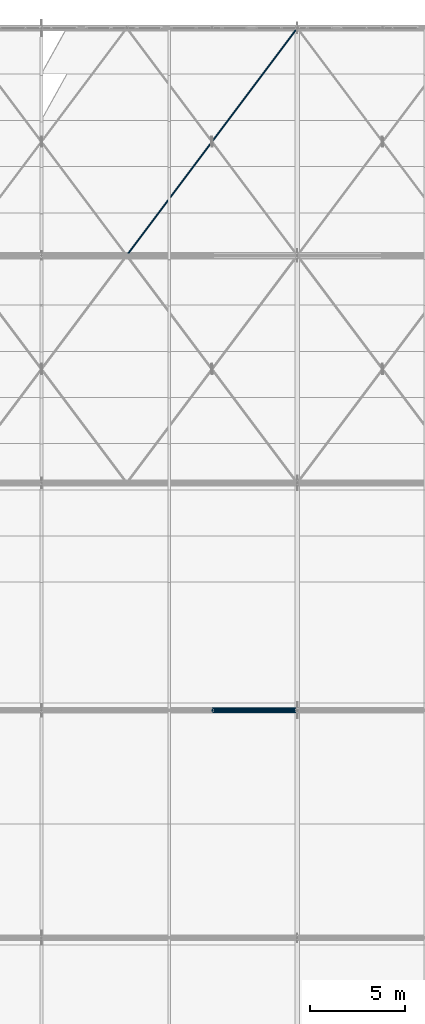
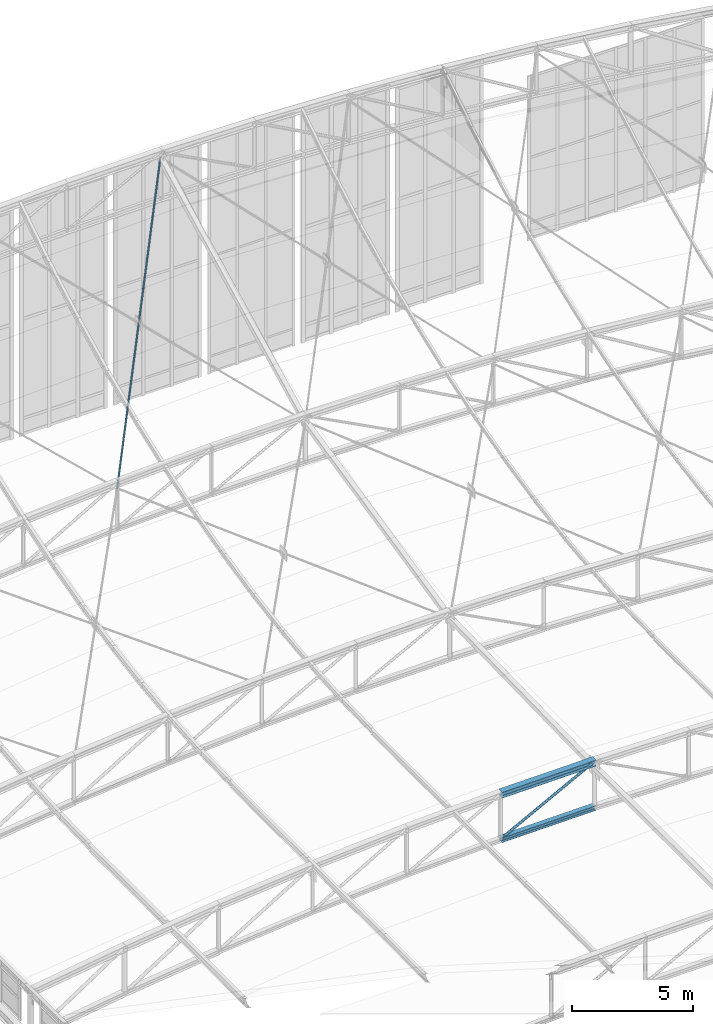
# One storey, part 117 of 262: 4 members.
"""IFC4 building model written with IfcOpenShell, lengths in metres."""

from ifc_helpers import new_model, si_unit, derived_unit, direction, frame, origin, origin_2d, place, context, subcontext, project, spatial, hollow_circle, i_section, extrude, material, material_profile, profile_set, type_object, element, save


model = new_model("IFC4")

# Units and contexts
model_context = context("Model", 3, precision=1e-05, world=origin(), true_north=direction((0.0, 1.0)))
body_context = subcontext(model_context, "Body", "Model", "MODEL_VIEW")
ifc_project = project(units=[si_unit("LENGTHUNIT", "METRE"), si_unit("AREAUNIT", "SQUARE_METRE"), si_unit("VOLUMEUNIT", "CUBIC_METRE"), si_unit("PLANEANGLEUNIT", "RADIAN"), si_unit("MASSUNIT", "GRAM", prefix="KILO"), derived_unit("THERMALTRANSMITTANCEUNIT", [(si_unit("POWERUNIT", "WATT"), 1), (si_unit("LENGTHUNIT", "METRE"), -2), (si_unit("THERMODYNAMICTEMPERATUREUNIT", "KELVIN"), -1)])], contexts=[model_context])

# Site, building, storey
site_placement = place(None, origin())
site = spatial("IfcSite", under=ifc_project, at=site_placement, CompositionType="ELEMENT")
building_placement = place(site_placement, origin())
building = spatial("IfcBuilding", under=site, at=building_placement, Name="Almenara Railside Exhibition Hall", CompositionType="ELEMENT")
storey_placement = place(building_placement, frame((0.0, 0.0, 21.699951171875)))
storey = spatial("IfcBuildingStorey", under=building, at=storey_placement, Name="RF", CompositionType="ELEMENT", Elevation=21.699951171875)

# Members
ifc_material = material(Name="Structural steel S355JR", Category="steel")
ifc_material_profile_1 = material_profile(ifc_material, i_section(OverallWidth=0.239990234375, OverallDepth=0.239990234375, WebThickness=0.010009765625, FlangeThickness=0.01708984375, FilletRadius=0.02099609375, at=origin_2d()), Name="HEB 240")
ifc_profile_set_1 = profile_set([ifc_material_profile_1], Name="Structural steel S355JR")
member_type_1 = type_object("IfcMemberType", Name="Arched Crown Bottom Chord HEB 240 S355JR", PredefinedType="CHORD", material=ifc_profile_set_1)
member_1_placement = place(storey_placement, frame((34.5, 96.0, -0.260986328125), z_axis=(0.999908030213, 0.0, 0.013562120635), x_axis=(0.0, 1.0, 0.0)))
element("IfcMember", 1, at=member_1_placement, inside=storey, type_object=member_type_1, Name="MEM-BC-V1-04-05", PredefinedType="CHORD", context=body_context, shape_type="SweptSolid", body=[
    extrude(i_section(OverallWidth=0.239990234375, OverallDepth=0.239990234375, WebThickness=0.010009765625, FlangeThickness=0.01708984375, FilletRadius=0.02099609375, at=origin_2d()), origin(), (0.0, 0.0, 1.0), 4.50048828125),
])
ifc_material_profile_2 = material_profile(ifc_material, i_section(OverallWidth=0.300048828125, OverallDepth=0.300048828125, WebThickness=0.010986328125, FlangeThickness=0.01904296875, FilletRadius=0.027099609375, at=origin_2d()), Name="HEB 300")
ifc_profile_set_2 = profile_set([ifc_material_profile_2], Name="Structural steel S355JR")
member_type_2 = type_object("IfcMemberType", Name="Arched Inner Top Chord HEB 300 S355JR", PredefinedType="CHORD", material=ifc_profile_set_2)
member_2_placement = place(storey_placement, frame((34.5, 96.0, 2.038818359375), z_axis=(0.999907293085, 0.0, 0.01361635908), x_axis=(0.0, 1.0, 0.0)))
element("IfcMember", 2, at=member_2_placement, inside=storey, type_object=member_type_2, Name="MEM-TC-V1-04-05", PredefinedType="CHORD", context=body_context, shape_type="SweptSolid", body=[
    extrude(i_section(OverallWidth=0.300048828125, OverallDepth=0.300048828125, WebThickness=0.010986328125, FlangeThickness=0.01904296875, FilletRadius=0.027099609375, at=origin_2d()), origin(), (0.0, 0.0, 1.0), 4.50048828125),
])
ifc_material_profile_3 = material_profile(ifc_material, hollow_circle(Radius=0.04443359375, WallThickness=0.00390625, at=origin_2d()), Name="CHS 88.9x4")
ifc_profile_set_3 = profile_set([ifc_material_profile_3], Name="Structural steel S355JR")
member_type_3 = type_object("IfcMemberType", Name="Canopy Tie Brace CHS 88.9x4 S355JR", PredefinedType="BRACE", material=ifc_profile_set_3)
member_3_placement = place(storey_placement, frame((30.0, 120.0, 4.516845703125), z_axis=(0.553146825665, 0.737529100887, 0.387400844863), x_axis=(-0.8, 0.6, 0.0)))
element("IfcMember", 3, at=member_3_placement, inside=storey, type_object=member_type_3, Name="MEM-WB-V1-WB-CHS89-06-04-C", PredefinedType="BRACE", context=body_context, shape_type="SweptSolid", body=[
    extrude(hollow_circle(Radius=0.04443359375, WallThickness=0.00390625, at=origin_2d()), origin(), (0.0, 0.0, 1.0), 16.2705078125),
])
ifc_material_profile_4 = material_profile(ifc_material, hollow_circle(Radius=0.0634765625, WallThickness=0.00439453125, at=origin_2d()), Name="CHS 127.0x4.5")
ifc_profile_set_4 = profile_set([ifc_material_profile_4], Name="Structural steel S355JR")
member_type_4 = type_object("IfcMemberType", Name="Truss Crown Diagonal CHS 127.0x4.5 S355JR", PredefinedType="BRACE", material=ifc_profile_set_4)
member_4_placement = place(storey_placement, frame((34.5, 96.0, -0.260986328125), z_axis=(0.885512555589, 0.0, 0.464615447326), x_axis=(0.0, 1.0, 0.0)))
element("IfcMember", 4, at=member_4_placement, inside=storey, type_object=member_type_4, Name="MEM-TD-V1-04-05", PredefinedType="BRACE", context=body_context, shape_type="SweptSolid", body=[
    extrude(hollow_circle(Radius=0.0634765625, WallThickness=0.00439453125, at=origin_2d()), origin(), (0.0, 0.0, 1.0), 5.081787109375),
])

save(model, "model.ifc")
